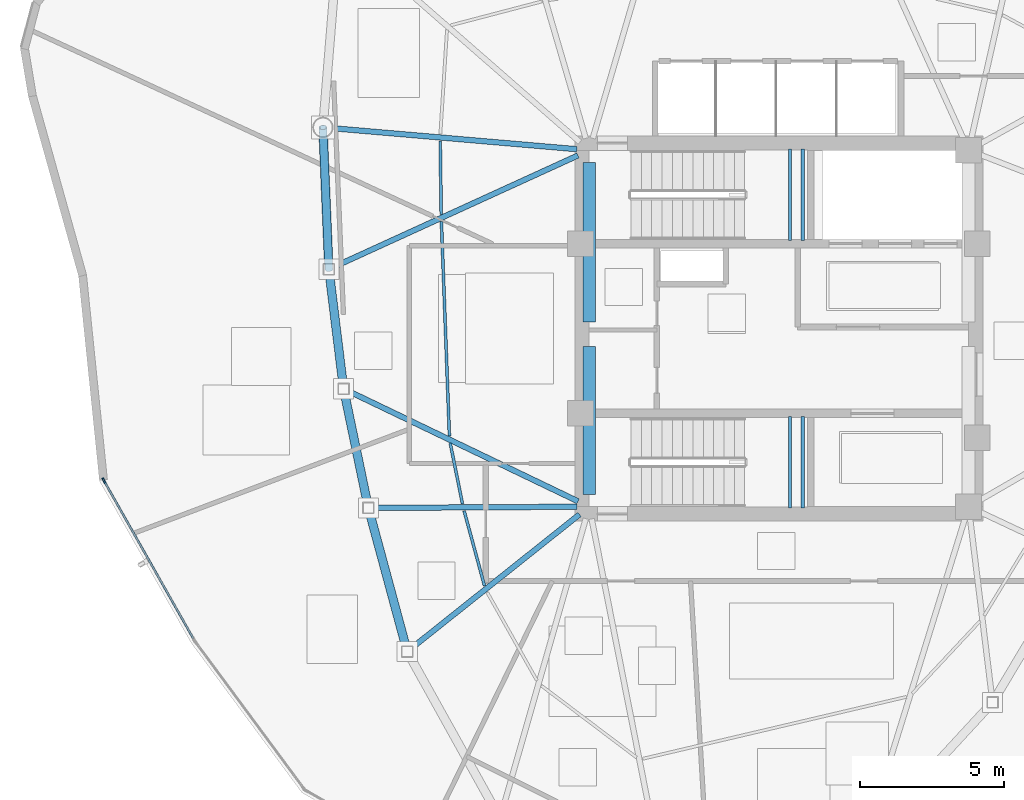
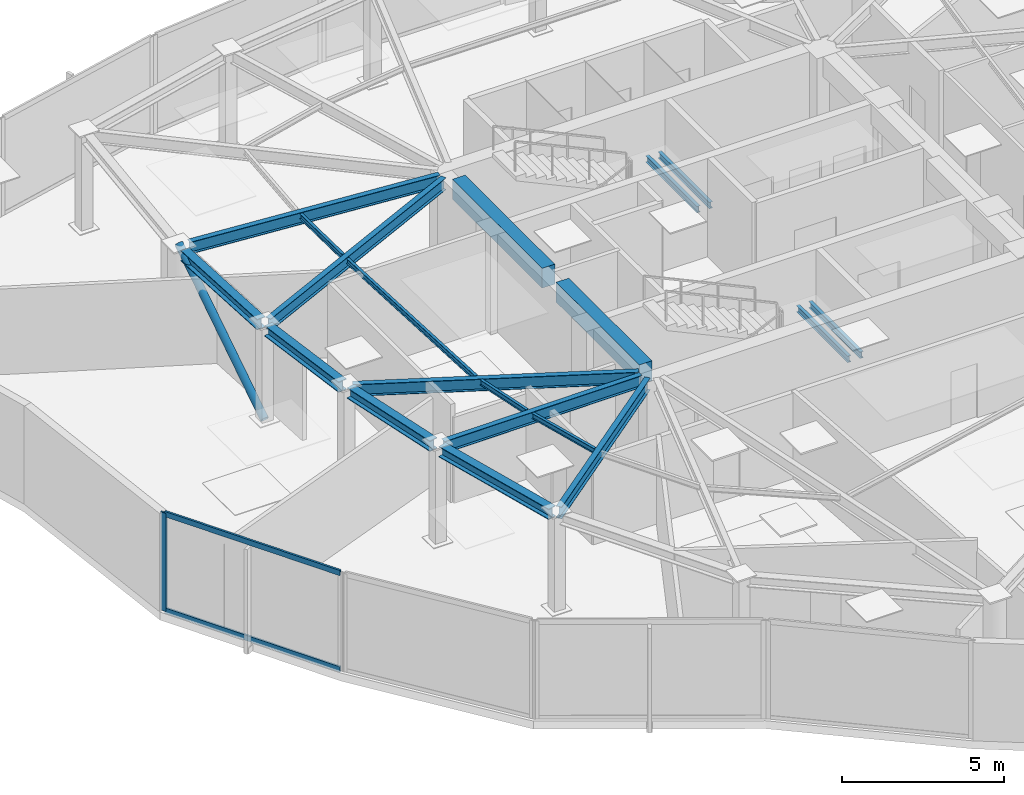
# One storey, part 3 of 11: 19 beams, 4 members, 1 element without a shape of its own.
"""IFC4 building model written with IfcOpenShell, lengths in metres."""

from ifc_helpers import new_model, si_unit, direction, frame, origin, origin_2d, place, context, subcontext, project, spatial, rectangle, hollow_rectangle, hollow_circle, i_section, extrude, source, transform, mapped, material, layer, layer_set, material_profile, profile_set, type_object, type_shapes, element, aggregate, save


model = new_model("IFC4")

# Units and contexts
model_context = context("Model", 3, precision=1e-05, world=origin(), true_north=direction((0.0, 1.0)))
body_context = subcontext(model_context, "Body", "Model", "MODEL_VIEW")
ifc_project = project(units=[si_unit("LENGTHUNIT", "METRE"), si_unit("AREAUNIT", "SQUARE_METRE"), si_unit("VOLUMEUNIT", "CUBIC_METRE"), si_unit("PLANEANGLEUNIT", "RADIAN"), si_unit("MASSUNIT", "GRAM", prefix="KILO")], contexts=[model_context])

# Site, building, storey
site_placement = place(None, origin())
site = spatial("IfcSite", under=ifc_project, at=site_placement, CompositionType="ELEMENT")
building_placement = place(site_placement, origin())
building = spatial("IfcBuilding", under=site, at=building_placement, Name="Tavelor Broadcast Tower", CompositionType="ELEMENT")
storey_placement = place(building_placement, frame((0.0, 0.0, 309.5)))
storey = spatial("IfcBuildingStorey", under=building, at=storey_placement, Name="L74", CompositionType="ELEMENT", Elevation=309.5)

# Beams
ifc_material_1 = material(Name="Concrete C40/50", Category="concrete")
ifc_material_profile_1 = material_profile(ifc_material_1, rectangle(XDim=0.449951171875, YDim=0.75, at=origin_2d()), Name="RC 450x750")
ifc_profile_set_1 = profile_set([ifc_material_profile_1], Name="Concrete C40/50")
beam_type_1 = type_object("IfcBeamType", Name="Basement Core Trim Beam 450x750", PredefinedType="BEAM", material=ifc_profile_set_1)
beam_1_placement = place(storey_placement, frame((43.39990234375, 45.23193359375, 3.324951171875), z_axis=(0.0, 1.0, 0.0), x_axis=(-1.0, 0.0, 0.0)))
element("IfcBeam", 1, at=beam_1_placement, inside=storey, type_object=beam_type_1, Name="L74 Core West-N Tie Girder", PredefinedType="BEAM", context=body_context, shape_type="SweptSolid", body=[
    extrude(rectangle(XDim=0.449951171875, YDim=0.75, at=origin_2d()), origin(), (0.0, 0.0, 1.0), 5.5361328125),
])
beam_2_placement = place(storey_placement, frame((43.39990234375, 39.23193359375, 3.324951171875), z_axis=(0.0, 1.0, 0.0), x_axis=(-1.0, 0.0, 0.0)))
element("IfcBeam", 2, at=beam_2_placement, inside=storey, type_object=beam_type_1, Name="L74 Core West-S Tie Girder", PredefinedType="BEAM", context=body_context, shape_type="SweptSolid", body=[
    extrude(rectangle(XDim=0.449951171875, YDim=0.75, at=origin_2d()), origin(), (0.0, 0.0, 1.0), 5.135986328125),
])
ifc_material_2 = material(Name="Steel S355", Category="steel")
ifc_material_profile_2 = material_profile(ifc_material_2, i_section(OverallWidth=0.10009765625, OverallDepth=0.199951171875, WebThickness=0.005615234375, FlangeThickness=0.008544921875, at=origin_2d()), Name="IPE 200")
ifc_profile_set_2 = profile_set([ifc_material_profile_2], Name="Steel S355")
beam_type_2 = type_object("IfcBeamType", Name="Composite Floor Joist T8 IPE 200", PredefinedType="JOIST", material=ifc_profile_set_2)
beam_3_placement = place(storey_placement, frame((38.21435546875, 51.521728515625, 3.60009765625), z_axis=(0.014168036859, -0.999899628329, 0.0), x_axis=(0.999899628329, 0.014168036859, 0.0)))
element("IfcBeam", 3, at=beam_3_placement, inside=storey, type_object=beam_type_2, Name="L74 Secondary Composite Floor Joist 01", PredefinedType="JOIST", context=body_context, shape_type="SweptSolid", body=[
    extrude(i_section(OverallWidth=0.10009765625, OverallDepth=0.199951171875, WebThickness=0.005615234375, FlangeThickness=0.008544921875, at=origin_2d()), origin(), (0.0, 0.0, 1.0), 2.55029296875),
])
beam_4_placement = place(storey_placement, frame((38.2568359375, 48.72412109375, 3.60009765625), z_axis=(0.037276284898, -0.999304997778, 0.0), x_axis=(0.999304997778, 0.037276284898, 0.0)))
element("IfcBeam", 4, at=beam_4_placement, inside=storey, type_object=beam_type_2, Name="L74 Secondary Composite Floor Joist 02", PredefinedType="JOIST", context=body_context, shape_type="SweptSolid", body=[
    extrude(i_section(OverallWidth=0.10009765625, OverallDepth=0.199951171875, WebThickness=0.005615234375, FlangeThickness=0.008544921875, at=origin_2d()), origin(), (0.0, 0.0, 1.0), 7.472900390625),
])
beam_5_placement = place(storey_placement, frame((38.564208984375, 41.011474609375, 3.60009765625), z_axis=(0.197508991617, -0.980301075298, 0.0), x_axis=(0.980301075298, 0.197508991617, 0.0)))
element("IfcBeam", 5, at=beam_5_placement, inside=storey, type_object=beam_type_2, Name="L74 Secondary Composite Floor Joist 03", PredefinedType="JOIST", context=body_context, shape_type="SweptSolid", body=[
    extrude(i_section(OverallWidth=0.10009765625, OverallDepth=0.199951171875, WebThickness=0.005615234375, FlangeThickness=0.008544921875, at=origin_2d()), origin(), (0.0, 0.0, 1.0), 2.156982421875),
])
beam_6_placement = place(storey_placement, frame((39.047119140625, 38.656005859375, 3.60009765625), z_axis=(0.262422477479, -0.964953078296, 0.0), x_axis=(0.964953078296, 0.262422477479, 0.0)))
element("IfcBeam", 6, at=beam_6_placement, inside=storey, type_object=beam_type_2, Name="L74 Secondary Composite Floor Joist 04", PredefinedType="JOIST", context=body_context, shape_type="SweptSolid", body=[
    extrude(i_section(OverallWidth=0.10009765625, OverallDepth=0.199951171875, WebThickness=0.005615234375, FlangeThickness=0.008544921875, at=origin_2d()), origin(), (0.0, 0.0, 1.0), 2.705322265625),
])
ifc_material_profile_3 = material_profile(ifc_material_2, i_section(OverallWidth=0.300048828125, OverallDepth=0.39990234375, WebThickness=0.013427734375, FlangeThickness=0.02392578125, at=origin_2d()), Name="HEB 400")
ifc_profile_set_3 = profile_set([ifc_material_profile_3], Name="Steel S355")
beam_type_3 = type_object("IfcBeamType", Name="Perimeter Spandrel Beam T8 HEB 400", PredefinedType="SPANDREL", material=ifc_profile_set_3)
beam_7_placement = place(storey_placement, frame((34.149169921875, 51.65478515625, 3.5), z_axis=(0.041837988246, -0.999124408039, 0.0), x_axis=(0.999124408039, 0.041837988246, 0.0)))
element("IfcBeam", 7, at=beam_7_placement, inside=storey, type_object=beam_type_3, Name="L74 Framed-Tube Ring Spandrel 01", PredefinedType="SPANDREL", context=body_context, shape_type="SweptSolid", body=[
    extrude(i_section(OverallWidth=0.300048828125, OverallDepth=0.39990234375, WebThickness=0.013427734375, FlangeThickness=0.02392578125, at=origin_2d()), origin(), (0.0, 0.0, 1.0), 4.40576171875),
])
beam_8_placement = place(storey_placement, frame((34.364990234375, 46.87060546875, 3.5), z_axis=(0.122298070905, -0.992493416529, 0.0), x_axis=(0.992493416529, 0.122298070905, 0.0)))
element("IfcBeam", 8, at=beam_8_placement, inside=storey, type_object=beam_type_3, Name="L74 Framed-Tube Ring Spandrel 02", PredefinedType="SPANDREL", context=body_context, shape_type="SweptSolid", body=[
    extrude(i_section(OverallWidth=0.300048828125, OverallDepth=0.39990234375, WebThickness=0.013427734375, FlangeThickness=0.02392578125, at=origin_2d()), origin(), (0.0, 0.0, 1.0), 3.806884765625),
])
beam_9_placement = place(storey_placement, frame((34.893310546875, 42.7138671875, 3.5), z_axis=(0.203708583251, -0.979031569006, 0.0), x_axis=(0.979031569006, 0.203708583251, 0.0)))
element("IfcBeam", 9, at=beam_9_placement, inside=storey, type_object=beam_type_3, Name="L74 Framed-Tube Ring Spandrel 03", PredefinedType="SPANDREL", context=body_context, shape_type="SweptSolid", body=[
    extrude(i_section(OverallWidth=0.300048828125, OverallDepth=0.39990234375, WebThickness=0.013427734375, FlangeThickness=0.02392578125, at=origin_2d()), origin(), (0.0, 0.0, 1.0), 3.849609375),
])
beam_10_placement = place(storey_placement, frame((35.7666015625, 38.57177734375, 3.5), z_axis=(0.261091192609, -0.965314140134, 0.0), x_axis=(0.965314140134, 0.261091192609, 0.0)))
element("IfcBeam", 10, at=beam_10_placement, inside=storey, type_object=beam_type_3, Name="L74 Framed-Tube Ring Spandrel 04", PredefinedType="SPANDREL", context=body_context, shape_type="SweptSolid", body=[
    extrude(i_section(OverallWidth=0.300048828125, OverallDepth=0.39990234375, WebThickness=0.013427734375, FlangeThickness=0.02392578125, at=origin_2d()), origin(), (0.0, 0.0, 1.0), 4.793212890625),
])

# Member
ifc_material_profile_4 = material_profile(ifc_material_2, hollow_circle(Radius=0.136474609375, WallThickness=0.012451171875, at=origin_2d()), Name="CHS 273x12.5")
ifc_profile_set_4 = profile_set([ifc_material_profile_4], Name="Steel S355")
member_type_1 = type_object("IfcMemberType", Name="Perimeter Tube Brace T8 CHS 273x12.5", PredefinedType="BRACE", material=ifc_profile_set_4)
member_1_placement = place(storey_placement, frame((34.341552734375, 47.061279296875, 0.0), z_axis=(-0.033508994779, 0.799626685339, 0.599561766095), x_axis=(-0.999123106787, -0.041869051625, 0.0)))
element("IfcMember", 11, at=member_1_placement, inside=storey, type_object=member_type_1, Name="L74 Corner Tube Diagonal Brace 1", PredefinedType="BRACE", context=body_context, shape_type="SweptSolid", body=[
    extrude(hollow_circle(Radius=0.136474609375, WallThickness=0.012451171875, at=origin_2d()), origin(), (0.0, 0.0, 1.0), 6.171142578125),
])

# Beams
ifc_material_profile_5 = material_profile(ifc_material_2, i_section(OverallWidth=0.18994140625, OverallDepth=0.449951171875, WebThickness=0.009521484375, FlangeThickness=0.0146484375, at=origin_2d()), Name="IPE 450")
ifc_profile_set_5 = profile_set([ifc_material_profile_5], Name="Steel S355")
beam_type_4 = type_object("IfcBeamType", Name="Radial Floor Girder T8 IPE 450", PredefinedType="BEAM", material=ifc_profile_set_5)
beam_11_placement = place(storey_placement, frame((42.969482421875, 51.237060546875, 3.47509765625), z_axis=(-0.99633041069, 0.085590377581, 0.0), x_axis=(-0.085590377581, -0.99633041069, 0.0)))
element("IfcBeam", 12, at=beam_11_placement, inside=storey, type_object=beam_type_4, Name="L74 Radial Primary Floor Girder 01", PredefinedType="BEAM", context=body_context, shape_type="SweptSolid", body=[
    extrude(i_section(OverallWidth=0.18994140625, OverallDepth=0.449951171875, WebThickness=0.009521484375, FlangeThickness=0.0146484375, at=origin_2d()), origin(), (0.0, 0.0, 1.0), 8.52587890625),
])
beam_12_placement = place(storey_placement, frame((43.007080078125, 51.0205078125, 3.47509765625), z_axis=(-0.909563172595, -0.4155656808, 0.0), x_axis=(0.4155656808, -0.909563172595, 0.0)))
element("IfcBeam", 13, at=beam_12_placement, inside=storey, type_object=beam_type_4, Name="L74 Radial Primary Floor Girder 02", PredefinedType="BEAM", context=body_context, shape_type="SweptSolid", body=[
    extrude(i_section(OverallWidth=0.18994140625, OverallDepth=0.449951171875, WebThickness=0.009521484375, FlangeThickness=0.0146484375, at=origin_2d()), origin(), (0.0, 0.0, 1.0), 9.335205078125),
])
beam_13_placement = place(storey_placement, frame((43.010498046875, 38.98681640625, 3.47509765625), z_axis=(-0.901533812655, 0.432708660233, 0.0), x_axis=(-0.432708660233, -0.901533812655, 0.0)))
element("IfcBeam", 14, at=beam_13_placement, inside=storey, type_object=beam_type_4, Name="L74 Radial Primary Floor Girder 03", PredefinedType="BEAM", context=body_context, shape_type="SweptSolid", body=[
    extrude(i_section(OverallWidth=0.18994140625, OverallDepth=0.449951171875, WebThickness=0.009521484375, FlangeThickness=0.0146484375, at=origin_2d()), origin(), (0.0, 0.0, 1.0), 8.85546875),
])
beam_14_placement = place(storey_placement, frame((42.968017578125, 38.797607421875, 3.47509765625), z_axis=(-0.999984499874, -0.005567765406, 0.0), x_axis=(0.005567765406, -0.999984499874, 0.0)))
element("IfcBeam", 15, at=beam_14_placement, inside=storey, type_object=beam_type_4, Name="L74 Radial Primary Floor Girder 04", PredefinedType="BEAM", context=body_context, shape_type="SweptSolid", body=[
    extrude(i_section(OverallWidth=0.18994140625, OverallDepth=0.449951171875, WebThickness=0.009521484375, FlangeThickness=0.0146484375, at=origin_2d()), origin(), (0.0, 0.0, 1.0), 7.0595703125),
])
beam_15_placement = place(storey_placement, frame((43.06201171875, 38.531005859375, 3.47509765625), z_axis=(-0.782378063296, -0.622803794203, 0.0), x_axis=(0.622803794203, -0.782378063296, 0.0)))
element("IfcBeam", 16, at=beam_15_placement, inside=storey, type_object=beam_type_4, Name="L74 Radial Primary Floor Girder 05", PredefinedType="BEAM", context=body_context, shape_type="SweptSolid", body=[
    extrude(i_section(OverallWidth=0.18994140625, OverallDepth=0.449951171875, WebThickness=0.009521484375, FlangeThickness=0.0146484375, at=origin_2d()), origin(), (0.0, 0.0, 1.0), 7.46923828125),
])
ifc_material_profile_6 = material_profile(ifc_material_2, i_section(OverallWidth=0.1201171875, OverallDepth=0.239990234375, WebThickness=0.006103515625, FlangeThickness=0.009765625, at=origin_2d()), Name="IPE 240")
ifc_profile_set_6 = profile_set([ifc_material_profile_6], Name="Steel S355")
beam_type_5 = type_object("IfcBeamType", Name="Stairwell Landing Support Trimmer Beam IPE240", PredefinedType="BEAM", material=ifc_profile_set_6)
for number, where, z_axis, x_axis, name in (
    (17, (50.385009765625, 48.06005859375, 1.68505859375), (0.0, 1.0, 0.0), (-1.0, 0.0, 0.0), "L74 Stair Landing Support Beam 189"),
    (18, (50.824951171875, 48.06005859375, 1.68505859375), (0.0, 1.0, 0.0), (-1.0, 0.0, 0.0), "L74 Stair Landing Support Beam 190"),
    (19, (50.385009765625, 38.760009765625, 1.68505859375), (0.0, 1.0, 0.0), (-1.0, 0.0, 0.0), "L74 Stair Landing Support Beam 403"),
    (20, (50.824951171875, 38.760009765625, 1.68505859375), (0.0, 1.0, 0.0), (-1.0, 0.0, 0.0), "L74 Stair Landing Support Beam 404"),
):
    element("IfcBeam", number, at=place(storey_placement, frame(where, z_axis=z_axis, x_axis=x_axis)), inside=storey, type_object=beam_type_5, Name=name, PredefinedType="BEAM", context=body_context, shape_type="SweptSolid", body=[
        extrude(i_section(OverallWidth=0.1201171875, OverallDepth=0.239990234375, WebThickness=0.006103515625, FlangeThickness=0.009765625, at=origin_2d()), origin(), (0.0, 0.0, 1.0), 3.179931640625),
    ])

# Curtain wall, members
ifc_material_3 = material(Name="Architectural Anodized Aluminium", Category="aluminium")
ifc_layer = layer(ifc_material_3, 0.199951171875)
ifc_layer_set = layer_set([ifc_layer], Name="Architectural Anodized Aluminium")
curtain_wall_type = type_object("IfcCurtainWallType", Name="Tower High-Zone Triple-Glazed Curtain Wall CW04", PredefinedType="NOTDEFINED", material=ifc_layer_set)
curtain_wall_placement = place(storey_placement, origin())
curtain_wall = element("IfcCurtainWall", 21, at=curtain_wall_placement, inside=storey, type_object=curtain_wall_type, Name="L74 Curtain Wall CW04 Run 817", PredefinedType="NOTDEFINED")
ifc_material_profile_7 = material_profile(ifc_material_3, hollow_rectangle(XDim=0.070068359375, YDim=0.199951171875, WallThickness=0.02197265625, at=origin_2d()), Name="RHS 70x200x22")
ifc_profile_set_7 = profile_set([ifc_material_profile_7], Name="Architectural Anodized Aluminium")
member_type_2 = type_object("IfcMemberType", Name="CW04 Extruded Aluminium Mullion 70x200", PredefinedType="MULLION", material=ifc_profile_set_7)
shared_shape_1 = source(origin(), body_context, "Body", "SweptSolid", [
    extrude(hollow_rectangle(XDim=0.070068359375, YDim=0.199951171875, WallThickness=0.02197265625, at=origin_2d()), origin(), (0.0, 0.0, 1.0), 3.699951171875),
])
type_shapes(member_type_2, [shared_shape_1])
member_2_placement = place(storey_placement, frame((26.51220703125, 39.71044921875, 0.0), z_axis=(0.0, 0.0, 1.0), x_axis=(0.870145839934, 0.492794295061, 0.0)))
member_2 = element("IfcMember", 22, at=member_2_placement, type_object=member_type_2, Name="CW04 mullion 1", PredefinedType="MULLION", context=body_context, shape_type="MappedRepresentation", body=[
    mapped(shared_shape_1, transform((0.0, 0.0, 0.0), scale=1.0)),
])
ifc_material_profile_8 = material_profile(ifc_material_3, hollow_rectangle(XDim=0.070068359375, YDim=0.199951171875, WallThickness=0.02197265625, at=origin_2d()), Name="RHS 70x200x22")
ifc_profile_set_8 = profile_set([ifc_material_profile_8], Name="Architectural Anodized Aluminium")
member_type_3 = type_object("IfcMemberType", Name="CW04 Extruded Aluminium Transom 70x200", PredefinedType="USERDEFINED", material=ifc_profile_set_8)
shared_shape_2 = source(origin(), body_context, "Body", "SweptSolid", [
    extrude(hollow_rectangle(XDim=0.070068359375, YDim=0.199951171875, WallThickness=0.02197265625, at=origin_2d()), origin(), (0.0, 0.0, 1.0), 6.287353515625),
])
type_shapes(member_type_3, [shared_shape_2])
member_3_placement = place(storey_placement, frame((26.529296875, 39.68017578125, 0.034912109375), z_axis=(0.492794075324, -0.870145964379, 0.0), x_axis=(0.870145964379, 0.492794075324, 0.0)))
member_3 = element("IfcMember", 23, at=member_3_placement, type_object=member_type_3, Name="CW04 transom 1.1", ObjectType="TRANSOM", PredefinedType="USERDEFINED", context=body_context, shape_type="MappedRepresentation", body=[
    mapped(shared_shape_2, transform((0.0, 0.0, 0.0), scale=1.0)),
])
member_4_placement = place(storey_placement, frame((26.529296875, 39.68017578125, 3.6650390625), z_axis=(0.492794075324, -0.870145964379, 0.0), x_axis=(0.870145964379, 0.492794075324, 0.0)))
member_4 = element("IfcMember", 24, at=member_4_placement, type_object=member_type_3, Name="CW04 transom 1.2", ObjectType="TRANSOM", PredefinedType="USERDEFINED", context=body_context, shape_type="MappedRepresentation", body=[
    mapped(shared_shape_2, transform((0.0, 0.0, 0.0), scale=1.0)),
])
aggregate(curtain_wall, [member_2, member_3, member_4])

save(model, "model.ifc")
